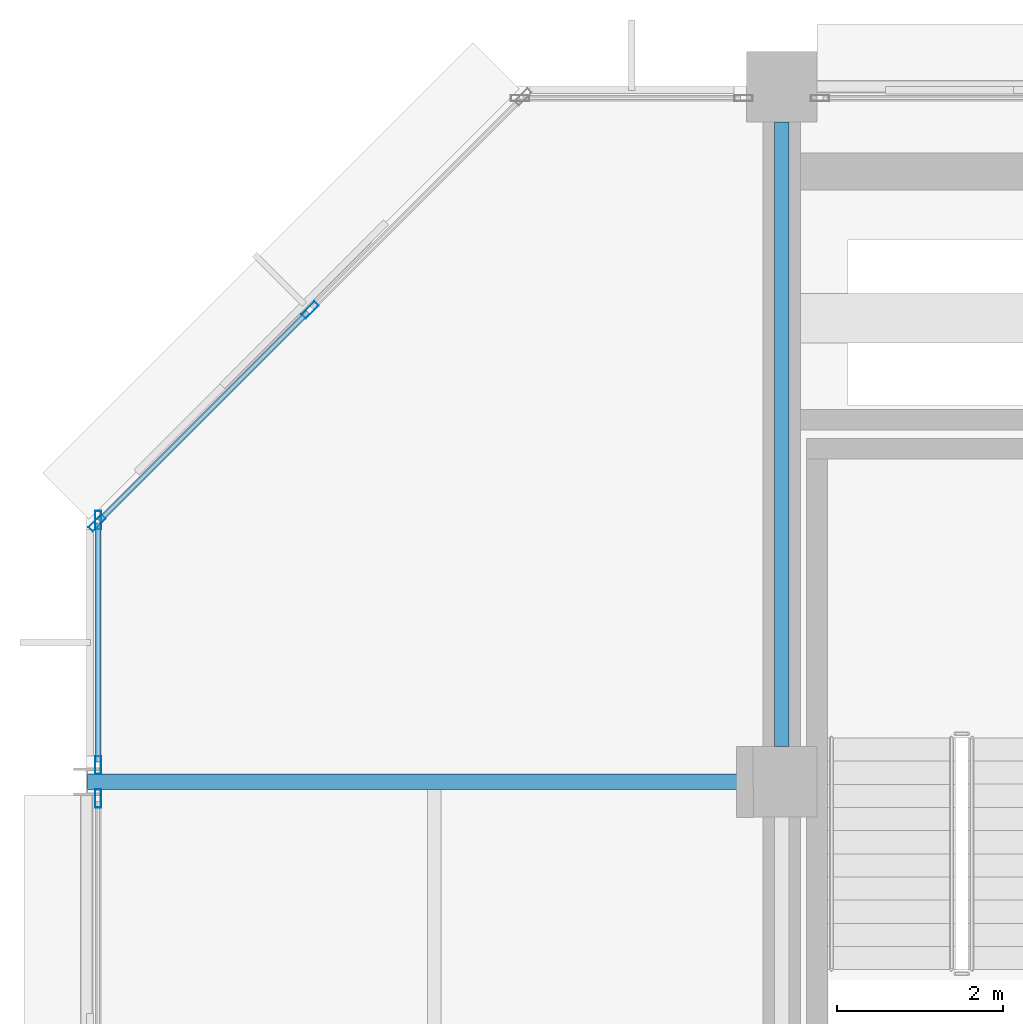
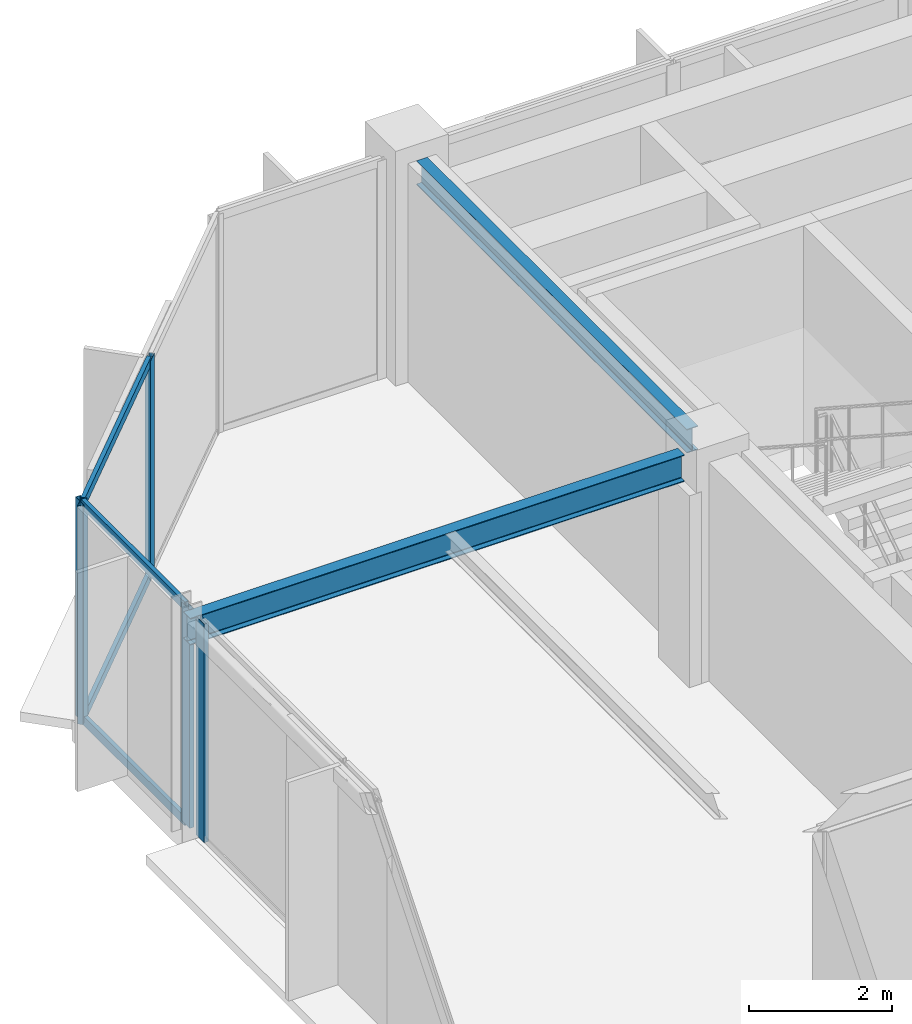
# One storey, part 13 of 23: 9 members, 2 beams, 3 elements without a shape of their own.
"""IFC4 building model written with IfcOpenShell, lengths in metres."""

from ifc_helpers import new_model, si_unit, direction, frame, origin, origin_2d, place, context, subcontext, project, spatial, hollow_rectangle, i_section, extrude, material, layer, layer_set, material_profile, profile_set, type_object, element, aggregate, save


model = new_model("IFC4")

# Units and contexts
model_context = context("Model", 3, precision=1e-05, world=origin(), true_north=direction((0.0, 1.0)))
body_context = subcontext(model_context, "Body", "Model", "MODEL_VIEW")
ifc_project = project(units=[si_unit("LENGTHUNIT", "METRE"), si_unit("AREAUNIT", "SQUARE_METRE"), si_unit("VOLUMEUNIT", "CUBIC_METRE"), si_unit("PLANEANGLEUNIT", "RADIAN"), si_unit("MASSUNIT", "GRAM", prefix="KILO")], contexts=[model_context])

# Site, building, storey
site_placement = place(None, origin())
site = spatial("IfcSite", under=ifc_project, at=site_placement, CompositionType="ELEMENT")
building_placement = place(site_placement, origin())
building = spatial("IfcBuilding", under=site, at=building_placement, Name="Nerrivon Quay Data Exchange", CompositionType="ELEMENT")
storey_placement = place(building_placement, frame((0.0, 0.0, 286.199951171875)))
storey = spatial("IfcBuildingStorey", under=building, at=storey_placement, Name="L68", CompositionType="ELEMENT", Elevation=286.199951171875)

# Beams
ifc_material_1 = material(Name="Steel Grade 350", Category="steel")
ifc_material_profile_1 = material_profile(ifc_material_1, i_section(OverallWidth=0.18994140625, OverallDepth=0.4541015625, WebThickness=0.008544921875, FlangeThickness=0.0126953125, FilletRadius=0.011474609375, at=origin_2d()), Name="460UB67.1")
ifc_profile_set_1 = profile_set([ifc_material_profile_1], Name="Steel Grade 350")
beam_type_1 = type_object("IfcBeamType", Name="BM-G6-460UB67", PredefinedType="BEAM", material=ifc_profile_set_1)
beam_1_placement = place(storey_placement, frame((0.0078125, 33.60009765625, 3.498046875), z_axis=(1.0, 0.0, 0.0), x_axis=(0.0, 1.0, 0.0)))
element("IfcBeam", 1, at=beam_1_placement, inside=storey, type_object=beam_type_1, Name="L68 EW Girder Y=33.6 (0.0..8.4)", PredefinedType="BEAM", context=body_context, shape_type="SweptSolid", body=[
    extrude(i_section(OverallWidth=0.18994140625, OverallDepth=0.4541015625, WebThickness=0.008544921875, FlangeThickness=0.0126953125, FilletRadius=0.011474609375, at=origin_2d()), origin(), (0.0, 0.0, 1.0), 7.96728515625),
])
ifc_material_profile_2 = material_profile(ifc_material_1, i_section(OverallWidth=0.177978515625, OverallDepth=0.406005859375, WebThickness=0.0078125, FlangeThickness=0.0126953125, FilletRadius=0.011474609375, at=origin_2d()), Name="410UB59.7")
ifc_profile_set_2 = profile_set([ifc_material_profile_2], Name="Steel Grade 350")
beam_type_2 = type_object("IfcBeamType", Name="BM-J1-410UB60", PredefinedType="JOIST", material=ifc_profile_set_2)
beam_2_placement = place(storey_placement, frame((8.39990234375, 34.02490234375, 3.52197265625), z_axis=(0.0, 1.0, 0.0), x_axis=(-1.0, 0.0, 0.0)))
element("IfcBeam", 2, at=beam_2_placement, inside=storey, type_object=beam_type_2, Name="L68 NS Girder X=8.4 (33.6..42.0)", PredefinedType="JOIST", context=body_context, shape_type="SweptSolid", body=[
    extrude(i_section(OverallWidth=0.177978515625, OverallDepth=0.406005859375, WebThickness=0.0078125, FlangeThickness=0.0126953125, FilletRadius=0.011474609375, at=origin_2d()), origin(), (0.0, 0.0, 1.0), 7.550048828125),
])

# Curtain wall, member
ifc_material_2 = material(Name="Anodised aluminium 6063-T6", Category="aluminium")
ifc_layer = layer(ifc_material_2, 0.22998046875)
ifc_layer_set = layer_set([ifc_layer], Name="Anodised aluminium 6063-T6")
curtain_wall_type = type_object("IfcCurtainWallType", Name="CW-SYS-05", PredefinedType="NOTDEFINED", material=ifc_layer_set)
curtain_wall_1_placement = place(storey_placement, origin())
curtain_wall_1 = element("IfcCurtainWall", 3, at=curtain_wall_1_placement, inside=storey, type_object=curtain_wall_type, Name="L68 Unitised Curtain Wall 13", PredefinedType="NOTDEFINED")
ifc_material_profile_3 = material_profile(ifc_material_2, hollow_rectangle(XDim=0.074951171875, YDim=0.219970703125, WallThickness=0.00390625, at=origin_2d()), Name="ALU-MULL-220x75")
ifc_profile_set_3 = profile_set([ifc_material_profile_3], Name="Anodised aluminium 6063-T6")
member_type_1 = type_object("IfcMemberType", Name="CWM-220x75", PredefinedType="MULLION", material=ifc_profile_set_3)
member_1_placement = place(storey_placement, frame((0.139892578125, 33.39892578125, 0.0), z_axis=(0.0, 0.0, 1.0), x_axis=(-1.0, 0.0, 0.0)))
member_1 = element("IfcMember", 4, at=member_1_placement, type_object=member_type_1, Name="CW05 mullion 3", PredefinedType="MULLION", context=body_context, shape_type="SweptSolid", body=[
    extrude(hollow_rectangle(XDim=0.074951171875, YDim=0.219970703125, WallThickness=0.00390625, at=origin_2d()), origin(), (0.0, 0.0, 1.0), 3.72509765625),
])
aggregate(curtain_wall_1, [member_1])

# Curtain wall, members
curtain_wall_2_placement = place(storey_placement, origin())
curtain_wall_2 = element("IfcCurtainWall", 5, at=curtain_wall_2_placement, inside=storey, type_object=curtain_wall_type, Name="L68 Unitised Curtain Wall 14", PredefinedType="NOTDEFINED")
member_2_placement = place(storey_placement, frame((0.139892578125, 33.801025390625, 0.0), z_axis=(0.0, 0.0, 1.0), x_axis=(-1.0, 0.0, 0.0)))
member_2 = element("IfcMember", 6, at=member_2_placement, type_object=member_type_1, Name="CW05 mullion 1", PredefinedType="MULLION", context=body_context, shape_type="SweptSolid", body=[
    extrude(hollow_rectangle(XDim=0.074951171875, YDim=0.219970703125, WallThickness=0.00390625, at=origin_2d()), origin(), (0.0, 0.0, 1.0), 3.72509765625),
])
member_3_placement = place(storey_placement, frame((0.139892578125, 36.762451171875, 0.0), z_axis=(0.0, 0.0, 1.0), x_axis=(-1.0, 0.0, 0.0)))
member_3 = element("IfcMember", 7, at=member_3_placement, type_object=member_type_1, Name="CW05 mullion 2", PredefinedType="MULLION", context=body_context, shape_type="SweptSolid", body=[
    extrude(hollow_rectangle(XDim=0.074951171875, YDim=0.219970703125, WallThickness=0.00390625, at=origin_2d()), origin(), (0.0, 0.0, 1.0), 3.72509765625),
])

curtain_wall_3_placement = place(storey_placement, origin())
curtain_wall_3 = element("IfcCurtainWall", 8, at=curtain_wall_3_placement, inside=storey, type_object=curtain_wall_type, Name="L68 Unitised Curtain Wall 15", PredefinedType="NOTDEFINED")
member_4_placement = place(storey_placement, frame((0.12548828125, 36.7275390625, 0.0), z_axis=(0.0, 0.0, 1.0), x_axis=(-0.707106781187, 0.707106781187, 0.0)))
member_4 = element("IfcMember", 9, at=member_4_placement, type_object=member_type_1, Name="CW05 mullion 1", PredefinedType="MULLION", context=body_context, shape_type="SweptSolid", body=[
    extrude(hollow_rectangle(XDim=0.074951171875, YDim=0.219970703125, WallThickness=0.00390625, at=origin_2d()), origin(), (0.0, 0.0, 1.0), 3.72509765625),
])
member_5_placement = place(storey_placement, frame((2.698974609375, 39.301025390625, 0.0), z_axis=(0.0, 0.0, 1.0), x_axis=(-0.707106781187, 0.707106781187, 0.0)))
member_5 = element("IfcMember", 10, at=member_5_placement, type_object=member_type_1, Name="CW05 mullion 2", PredefinedType="MULLION", context=body_context, shape_type="SweptSolid", body=[
    extrude(hollow_rectangle(XDim=0.074951171875, YDim=0.219970703125, WallThickness=0.00390625, at=origin_2d()), origin(), (0.0, 0.0, 1.0), 3.72509765625),
])

# Member
ifc_material_profile_4 = material_profile(ifc_material_2, hollow_rectangle(XDim=0.06494140625, YDim=0.14990234375, WallThickness=0.00341796875, at=origin_2d()), Name="ALU-TRAN-150x65")
ifc_profile_set_4 = profile_set([ifc_material_profile_4], Name="Anodised aluminium 6063-T6")
member_type_2 = type_object("IfcMemberType", Name="CWT-150x65", PredefinedType="USERDEFINED", material=ifc_profile_set_4)
member_6_placement = place(storey_placement, frame((0.139892578125, 33.83837890625, 0.032470703125), z_axis=(0.0, 1.0, 0.0), x_axis=(-1.0, 0.0, 0.0)))
member_6 = element("IfcMember", 11, at=member_6_placement, type_object=member_type_2, Name="CW05 transom 1.1", ObjectType="TRANSOM", PredefinedType="USERDEFINED", context=body_context, shape_type="SweptSolid", body=[
    extrude(hollow_rectangle(XDim=0.06494140625, YDim=0.14990234375, WallThickness=0.00341796875, at=origin_2d()), origin(), (0.0, 0.0, 1.0), 2.88671875),
])

member_7_placement = place(storey_placement, frame((0.139892578125, 33.83837890625, 3.692626953125), z_axis=(0.0, 1.0, 0.0), x_axis=(-1.0, 0.0, 0.0)))
member_7 = element("IfcMember", 12, at=member_7_placement, type_object=member_type_2, Name="CW05 transom 1.2", ObjectType="TRANSOM", PredefinedType="USERDEFINED", context=body_context, shape_type="SweptSolid", body=[
    extrude(hollow_rectangle(XDim=0.06494140625, YDim=0.14990234375, WallThickness=0.00341796875, at=origin_2d()), origin(), (0.0, 0.0, 1.0), 2.88671875),
])

aggregate(curtain_wall_2, [member_2, member_3, member_6, member_7])

member_8_placement = place(storey_placement, frame((0.152099609375, 36.754150390625, 0.032470703125), z_axis=(0.707106781187, 0.707106781187, 0.0), x_axis=(-0.707106781187, 0.707106781187, 0.0)))
member_8 = element("IfcMember", 13, at=member_8_placement, type_object=member_type_2, Name="CW05 transom 1.1", ObjectType="TRANSOM", PredefinedType="USERDEFINED", context=body_context, shape_type="SweptSolid", body=[
    extrude(hollow_rectangle(XDim=0.06494140625, YDim=0.14990234375, WallThickness=0.00341796875, at=origin_2d()), origin(), (0.0, 0.0, 1.0), 3.564208984375),
])

member_9_placement = place(storey_placement, frame((0.152099609375, 36.754150390625, 3.692626953125), z_axis=(0.707106781187, 0.707106781187, 0.0), x_axis=(-0.707106781187, 0.707106781187, 0.0)))
member_9 = element("IfcMember", 14, at=member_9_placement, type_object=member_type_2, Name="CW05 transom 1.2", ObjectType="TRANSOM", PredefinedType="USERDEFINED", context=body_context, shape_type="SweptSolid", body=[
    extrude(hollow_rectangle(XDim=0.06494140625, YDim=0.14990234375, WallThickness=0.00341796875, at=origin_2d()), origin(), (0.0, 0.0, 1.0), 3.564208984375),
])

aggregate(curtain_wall_3, [member_4, member_5, member_8, member_9])

save(model, "model.ifc")
